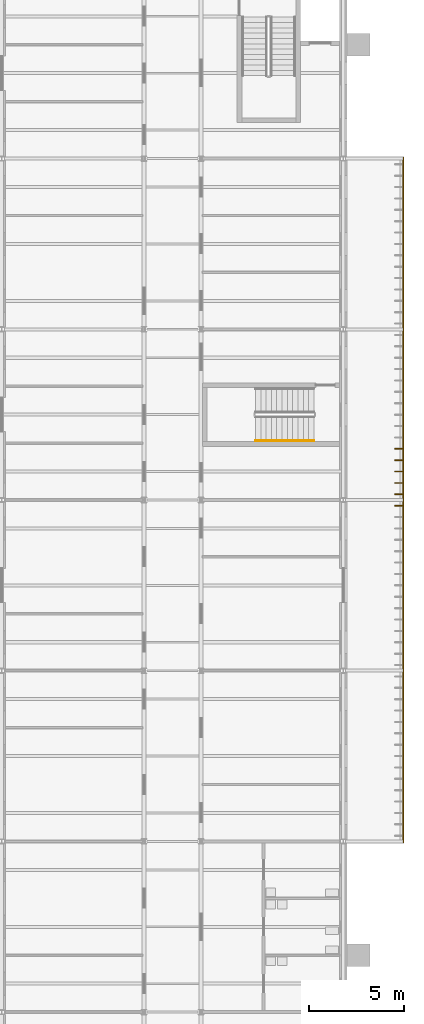
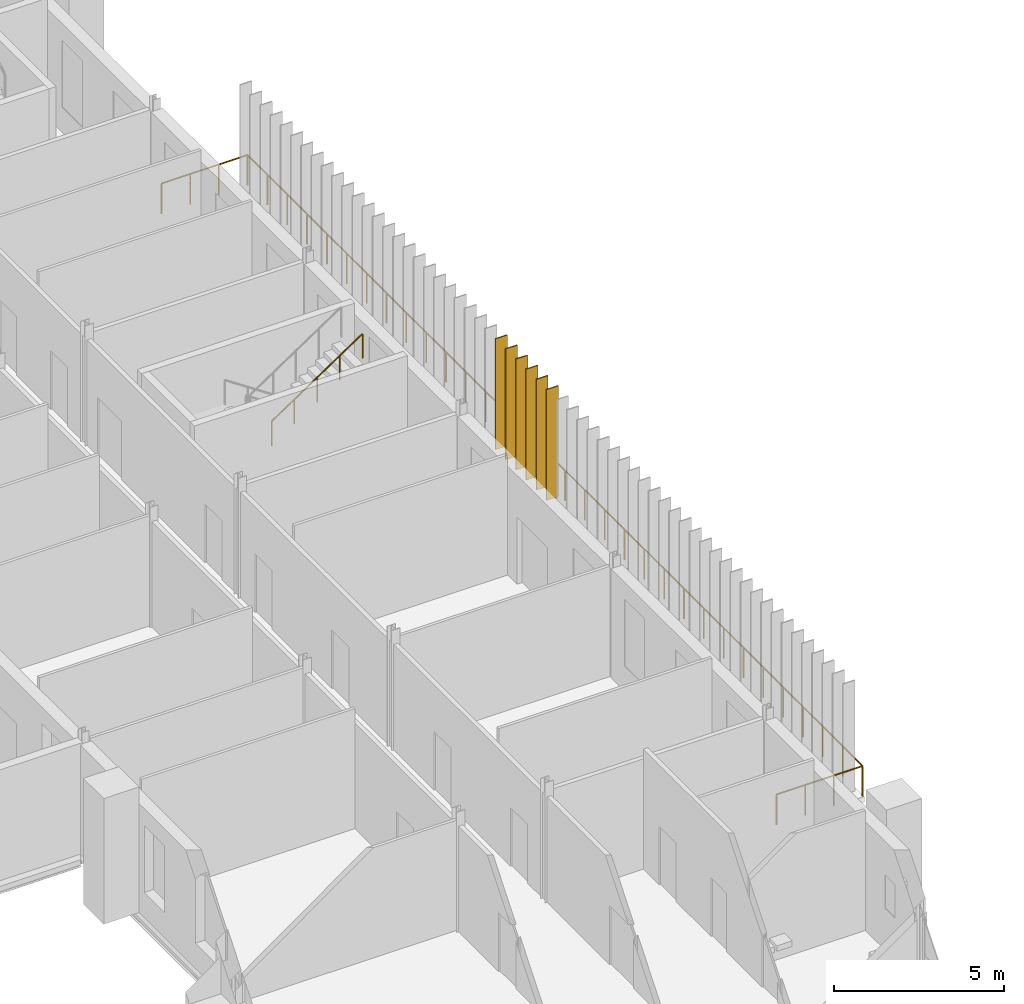
# One storey, part 127 of 134: 6 shading devices, 2 railings.
"""IFC4 building model written with IfcOpenShell, lengths in metres."""

from ifc_helpers import new_model, si_unit, direction, frame, origin, origin_2d, place, context, subcontext, project, spatial, rectangle, circle, extrude, material, layer, layer_set, type_object, element, save


model = new_model("IFC4")

# Units and contexts
model_context = context("Model", 3, precision=1e-05, world=origin(), true_north=direction((0.0, 1.0)))
body_context = subcontext(model_context, "Body", "Model", "MODEL_VIEW")
ifc_project = project(units=[si_unit("LENGTHUNIT", "METRE"), si_unit("AREAUNIT", "SQUARE_METRE"), si_unit("VOLUMEUNIT", "CUBIC_METRE"), si_unit("PLANEANGLEUNIT", "RADIAN"), si_unit("MASSUNIT", "GRAM", prefix="KILO")], contexts=[model_context])

# Site, building, storey
site_placement = place(None, origin())
site = spatial("IfcSite", under=ifc_project, at=site_placement, CompositionType="ELEMENT")
building_placement = place(site_placement, origin())
building = spatial("IfcBuilding", under=site, at=building_placement, Name="Golden Quay Civic Hall", CompositionType="ELEMENT")
storey_placement = place(building_placement, frame((0.0, 0.0, 5.39990234375)))
storey = spatial("IfcBuildingStorey", under=building, at=storey_placement, Name="L01", CompositionType="ELEMENT", Elevation=5.39990234375)

# Railing
ifc_material_1 = material(Name="Steel S355", Category="steel")
railing_type_1 = type_object("IfcRailingType", Name="Guard 1100 steel rail and posts", PredefinedType="GUARDRAIL", material=ifc_material_1)
railing_1_placement = place(storey_placement, frame((171.25, 8.949951171875, 0.0)))
element("IfcRailing", 1, at=railing_1_placement, inside=storey, type_object=railing_type_1, Name="Guard 1100 steel rail and posts L01 1", PredefinedType="GUARDRAIL", context=body_context, shape_type="SweptSolid", body=[
    extrude(circle(Radius=0.02490234375, at=origin_2d()), frame((0.0, 0.0, 1.0751953125), z_axis=(1.0, 0.0, 0.0), x_axis=(0.0, 1.0, 0.0)), (0.0, 0.0, 1.0), 2.919921875),
    extrude(circle(Radius=0.02490234375, at=origin_2d()), frame((2.919921875, 0.0, 1.0751953125), z_axis=(0.0, 1.0, 0.0), x_axis=(-1.0, 0.0, 0.0)), (0.0, 0.0, 1.0), 36.10009765625),
    extrude(circle(Radius=0.02490234375, at=origin_2d()), frame((2.919921875, 36.10009765625, 1.0751953125), z_axis=(-1.0, 0.0, 0.0), x_axis=(0.0, -1.0, 0.0)), (0.0, 0.0, 1.0), 2.919921875),
    extrude(circle(Radius=0.02490234375, at=origin_2d()), origin(), (0.0, 0.0, 1.0), 1.050048828125),
    extrude(circle(Radius=0.02490234375, at=origin_2d()), frame((0.973388671875, 0.0, 0.0)), (0.0, 0.0, 1.0), 1.050048828125),
    extrude(circle(Radius=0.02490234375, at=origin_2d()), frame((1.946533203125, 0.0, 0.0)), (0.0, 0.0, 1.0), 1.050048828125),
    extrude(circle(Radius=0.02490234375, at=origin_2d()), frame((2.919921875, 0.0, 0.0)), (0.0, 0.0, 1.0), 1.050048828125),
    extrude(circle(Radius=0.02490234375, at=origin_2d()), frame((2.919921875, 1.16455078125, 0.0)), (0.0, 0.0, 1.0), 1.050048828125),
    extrude(circle(Radius=0.02490234375, at=origin_2d()), frame((2.919921875, 2.3291015625, 0.0)), (0.0, 0.0, 1.0), 1.050048828125),
    extrude(circle(Radius=0.02490234375, at=origin_2d()), frame((2.919921875, 3.49365234375, 0.0)), (0.0, 0.0, 1.0), 1.050048828125),
    extrude(circle(Radius=0.02490234375, at=origin_2d()), frame((2.919921875, 4.657958984375, 0.0)), (0.0, 0.0, 1.0), 1.050048828125),
    extrude(circle(Radius=0.02490234375, at=origin_2d()), frame((2.919921875, 5.822509765625, 0.0)), (0.0, 0.0, 1.0), 1.050048828125),
    extrude(circle(Radius=0.02490234375, at=origin_2d()), frame((2.919921875, 6.987060546875, 0.0)), (0.0, 0.0, 1.0), 1.050048828125),
    extrude(circle(Radius=0.02490234375, at=origin_2d()), frame((2.919921875, 8.151611328125, 0.0)), (0.0, 0.0, 1.0), 1.050048828125),
    extrude(circle(Radius=0.02490234375, at=origin_2d()), frame((2.919921875, 9.316162109375, 0.0)), (0.0, 0.0, 1.0), 1.050048828125),
    extrude(circle(Radius=0.02490234375, at=origin_2d()), frame((2.919921875, 10.480712890625, 0.0)), (0.0, 0.0, 1.0), 1.050048828125),
    extrude(circle(Radius=0.02490234375, at=origin_2d()), frame((2.919921875, 11.645263671875, 0.0)), (0.0, 0.0, 1.0), 1.050048828125),
    extrude(circle(Radius=0.02490234375, at=origin_2d()), frame((2.919921875, 12.809814453125, 0.0)), (0.0, 0.0, 1.0), 1.050048828125),
    extrude(circle(Radius=0.02490234375, at=origin_2d()), frame((2.919921875, 13.97412109375, 0.0)), (0.0, 0.0, 1.0), 1.050048828125),
    extrude(circle(Radius=0.02490234375, at=origin_2d()), frame((2.919921875, 15.138671875, 0.0)), (0.0, 0.0, 1.0), 1.050048828125),
    extrude(circle(Radius=0.02490234375, at=origin_2d()), frame((2.919921875, 16.30322265625, 0.0)), (0.0, 0.0, 1.0), 1.050048828125),
    extrude(circle(Radius=0.02490234375, at=origin_2d()), frame((2.919921875, 17.4677734375, 0.0)), (0.0, 0.0, 1.0), 1.050048828125),
    extrude(circle(Radius=0.02490234375, at=origin_2d()), frame((2.919921875, 18.63232421875, 0.0)), (0.0, 0.0, 1.0), 1.050048828125),
    extrude(circle(Radius=0.02490234375, at=origin_2d()), frame((2.919921875, 19.796875, 0.0)), (0.0, 0.0, 1.0), 1.050048828125),
    extrude(circle(Radius=0.02490234375, at=origin_2d()), frame((2.919921875, 20.96142578125, 0.0)), (0.0, 0.0, 1.0), 1.050048828125),
    extrude(circle(Radius=0.02490234375, at=origin_2d()), frame((2.919921875, 22.1259765625, 0.0)), (0.0, 0.0, 1.0), 1.050048828125),
    extrude(circle(Radius=0.02490234375, at=origin_2d()), frame((2.919921875, 23.290283203125, 0.0)), (0.0, 0.0, 1.0), 1.050048828125),
    extrude(circle(Radius=0.02490234375, at=origin_2d()), frame((2.919921875, 24.454833984375, 0.0)), (0.0, 0.0, 1.0), 1.050048828125),
    extrude(circle(Radius=0.02490234375, at=origin_2d()), frame((2.919921875, 25.619384765625, 0.0)), (0.0, 0.0, 1.0), 1.050048828125),
    extrude(circle(Radius=0.02490234375, at=origin_2d()), frame((2.919921875, 26.783935546875, 0.0)), (0.0, 0.0, 1.0), 1.050048828125),
    extrude(circle(Radius=0.02490234375, at=origin_2d()), frame((2.919921875, 27.948486328125, 0.0)), (0.0, 0.0, 1.0), 1.050048828125),
    extrude(circle(Radius=0.02490234375, at=origin_2d()), frame((2.919921875, 29.113037109375, 0.0)), (0.0, 0.0, 1.0), 1.050048828125),
    extrude(circle(Radius=0.02490234375, at=origin_2d()), frame((2.919921875, 30.277587890625, 0.0)), (0.0, 0.0, 1.0), 1.050048828125),
    extrude(circle(Radius=0.02490234375, at=origin_2d()), frame((2.919921875, 31.442138671875, 0.0)), (0.0, 0.0, 1.0), 1.050048828125),
    extrude(circle(Radius=0.02490234375, at=origin_2d()), frame((2.919921875, 32.6064453125, 0.0)), (0.0, 0.0, 1.0), 1.050048828125),
    extrude(circle(Radius=0.02490234375, at=origin_2d()), frame((2.919921875, 33.77099609375, 0.0)), (0.0, 0.0, 1.0), 1.050048828125),
    extrude(circle(Radius=0.02490234375, at=origin_2d()), frame((2.919921875, 34.935546875, 0.0)), (0.0, 0.0, 1.0), 1.050048828125),
    extrude(circle(Radius=0.02490234375, at=origin_2d()), frame((2.919921875, 36.10009765625, 0.0)), (0.0, 0.0, 1.0), 1.050048828125),
    extrude(circle(Radius=0.02490234375, at=origin_2d()), frame((1.946533203125, 36.10009765625, 0.0)), (0.0, 0.0, 1.0), 1.050048828125),
    extrude(circle(Radius=0.02490234375, at=origin_2d()), frame((0.973388671875, 36.10009765625, 0.0)), (0.0, 0.0, 1.0), 1.050048828125),
    extrude(circle(Radius=0.02490234375, at=origin_2d()), frame((0.0, 36.10009765625, 0.0)), (0.0, 0.0, 1.0), 1.050048828125),
])

# Shading devices
ifc_material_2 = material(Name="Aluminium, anodised", Category="aluminium")
ifc_layer = layer(ifc_material_2, 0.0400390625)
ifc_layer_set = layer_set([ifc_layer], Name="Louvre fin 40 x 400")
shading_device_type = type_object("IfcShadingDeviceType", Name="Louvre fin 40 x 400", PredefinedType="JALOUSIE", material=ifc_layer_set)
for number, where, z_axis, x_axis, name in (
    (2, (173.89990234375, 26.699951171875, 0.0), (0.0, 0.0, 1.0), (0.0, 1.0, 0.0), "Louvre fin 40 x 400 L01 30"),
    (3, (173.89990234375, 27.300048828125, 0.0), (0.0, 0.0, 1.0), (0.0, 1.0, 0.0), "Louvre fin 40 x 400 L01 31"),
    (4, (173.89990234375, 27.89990234375, 0.0), (0.0, 0.0, 1.0), (0.0, 1.0, 0.0), "Louvre fin 40 x 400 L01 32"),
    (5, (173.89990234375, 28.5, 0.0), (0.0, 0.0, 1.0), (0.0, 1.0, 0.0), "Louvre fin 40 x 400 L01 33"),
    (6, (173.89990234375, 29.10009765625, 0.0), (0.0, 0.0, 1.0), (0.0, 1.0, 0.0), "Louvre fin 40 x 400 L01 34"),
    (7, (173.89990234375, 29.699951171875, 0.0), (0.0, 0.0, 1.0), (0.0, 1.0, 0.0), "Louvre fin 40 x 400 L01 35"),
):
    element("IfcShadingDevice", number, at=place(storey_placement, frame(where, z_axis=z_axis, x_axis=x_axis)), inside=storey, type_object=shading_device_type, Name=name, PredefinedType="JALOUSIE", context=body_context, shape_type="SweptSolid", body=[
        extrude(rectangle(XDim=0.0400390625, YDim=0.39990234375, at=origin_2d()), origin(), (0.0, 0.0, 1.0), 3.969970703125),
    ])

# Railing
ifc_material_3 = material(Name="Steel S355", Category="steel")
railing_type_2 = type_object("IfcRailingType", Name="Steel handrail 900", PredefinedType="HANDRAIL", material=ifc_material_3)
railing_2_placement = place(storey_placement, frame((166.3701171875, 30.125, 2.4375)))
element("IfcRailing", 8, at=railing_2_placement, inside=storey, type_object=railing_type_2, Name="L01 EO-M stair handrail 2", PredefinedType="HANDRAIL", context=body_context, shape_type="SweptSolid", body=[
    extrude(circle(Radius=0.02392578125, at=origin_2d()), frame((0.0, 0.0, 0.8759765625), z_axis=(0.830893310487, 0.0, 0.556431762742), x_axis=(0.0, 1.0, 0.0)), (0.0, 0.0, 1.0), 3.70654296875),
    extrude(circle(Radius=0.02099609375, at=origin_2d()), origin(), (0.0, 0.0, 1.0), 0.851806640625),
    extrude(circle(Radius=0.02099609375, at=origin_2d()), frame((0.77001953125, 0.0, 0.515625)), (0.0, 0.0, 1.0), 0.851806640625),
    extrude(circle(Radius=0.02099609375, at=origin_2d()), frame((1.5400390625, 0.0, 1.03125)), (0.0, 0.0, 1.0), 0.851806640625),
    extrude(circle(Radius=0.02099609375, at=origin_2d()), frame((2.309814453125, 0.0, 1.546875)), (0.0, 0.0, 1.0), 0.851806640625),
    extrude(circle(Radius=0.02099609375, at=origin_2d()), frame((3.079833984375, 0.0, 2.0625)), (0.0, 0.0, 1.0), 0.851806640625),
])

save(model, "model.ifc")
